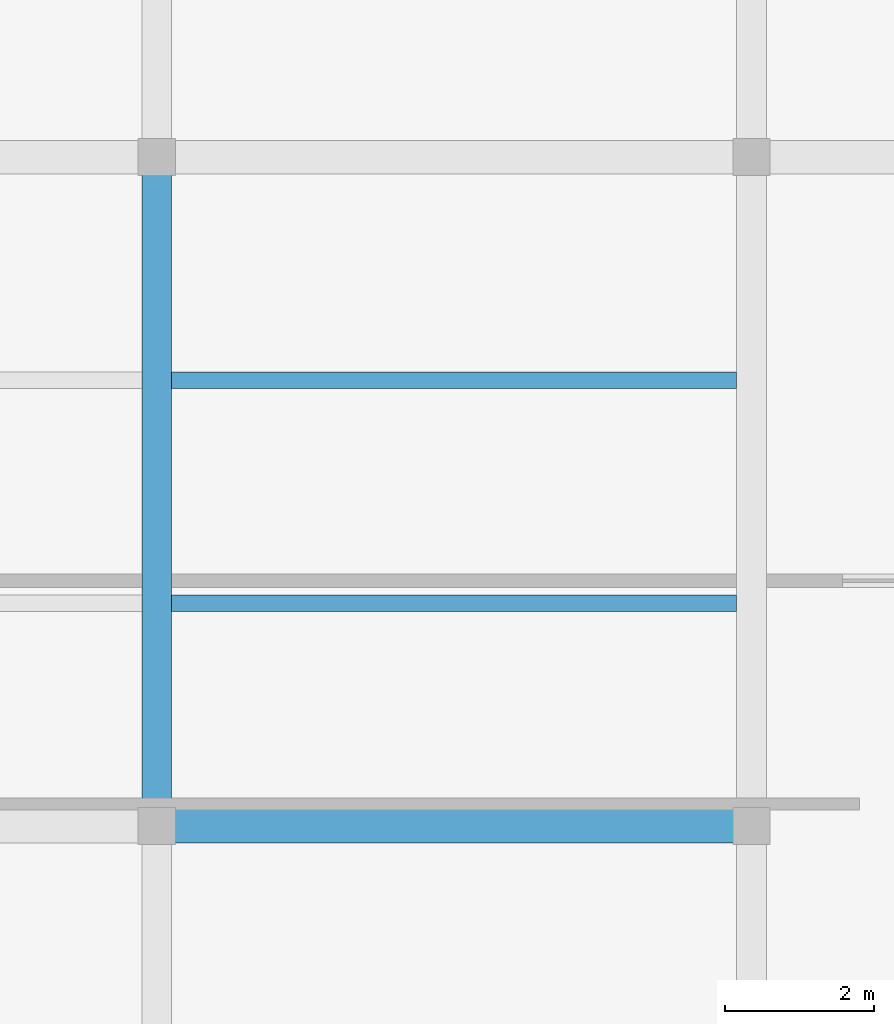
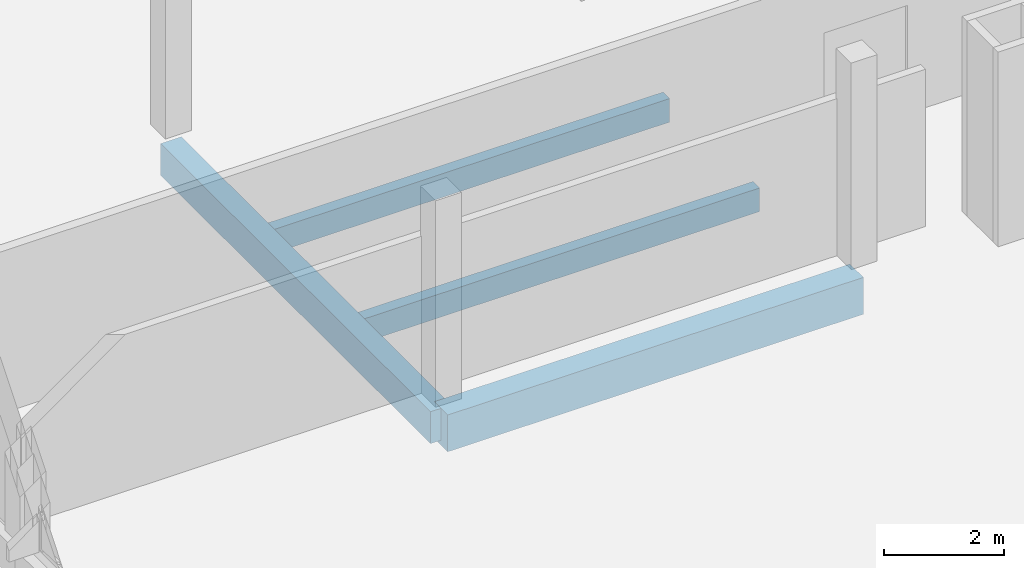
# One storey, part 36 of 107: 4 beams.
"""IFC4 building model written with IfcOpenShell, lengths in metres."""

from ifc_helpers import new_model, si_unit, direction, frame, origin, origin_2d, place, context, subcontext, project, spatial, rectangle, extrude, material, material_profile, profile_set, type_object, element, save


model = new_model("IFC4")

# Units and contexts
model_context = context("Model", 3, precision=1e-05, world=origin(), true_north=direction((0.0, 1.0)))
body_context = subcontext(model_context, "Body", "Model", "MODEL_VIEW")
ifc_project = project(units=[si_unit("LENGTHUNIT", "METRE"), si_unit("AREAUNIT", "SQUARE_METRE"), si_unit("VOLUMEUNIT", "CUBIC_METRE"), si_unit("PLANEANGLEUNIT", "RADIAN"), si_unit("MASSUNIT", "GRAM", prefix="KILO")], contexts=[model_context])

# Site, building, storey
site_placement = place(None, origin())
site = spatial("IfcSite", under=ifc_project, at=site_placement, CompositionType="ELEMENT")
building_placement = place(site_placement, origin())
building = spatial("IfcBuilding", under=site, at=building_placement, Name="Chiffa Square Polytechnic", CompositionType="ELEMENT")
storey_placement = place(building_placement, frame((0.0, 0.0, 13.800048828125)))
storey = spatial("IfcBuildingStorey", under=building, at=storey_placement, Name="L03", CompositionType="ELEMENT", Elevation=13.800048828125)

# Beams
ifc_material_1 = material(Name="Concrete C35/45", Category="concrete")
ifc_material_profile_1 = material_profile(ifc_material_1, rectangle(XDim=0.39990234375, YDim=0.64990234375, at=origin_2d()), Name="RC 400x650")
ifc_profile_set_1 = profile_set([ifc_material_profile_1], Name="Concrete C35/45")
beam_type_1 = type_object("IfcBeamType", Name="BM-RC-400X650", PredefinedType="BEAM", material=ifc_profile_set_1)
beam_1_placement = place(storey_placement, frame((8.0, 112.800048828125, -0.5849609375), z_axis=(0.0, 1.0, 0.0), x_axis=(-1.0, 0.0, 0.0)))
element("IfcBeam", 1, at=beam_1_placement, inside=storey, type_object=beam_type_1, Name="Primary floor girder BM-V5-L03-Y-0080-1128", PredefinedType="BEAM", context=body_context, shape_type="SweptSolid", body=[
    extrude(rectangle(XDim=0.39990234375, YDim=0.64990234375, at=origin_2d()), origin(), (0.0, 0.0, 1.0), 9.0),
])
ifc_material_profile_2 = material_profile(ifc_material_1, rectangle(XDim=0.449951171875, YDim=0.75, at=origin_2d()), Name="RC 450x750")
ifc_profile_set_2 = profile_set([ifc_material_profile_2], Name="Concrete C35/45")
beam_type_2 = type_object("IfcBeamType", Name="BM-RC-450X750", PredefinedType="BEAM", material=ifc_profile_set_2)
beam_2_placement = place(storey_placement, frame((8.0, 112.800048828125, -0.635009765625), z_axis=(1.0, 0.0, 0.0), x_axis=(0.0, 1.0, 0.0)))
element("IfcBeam", 2, at=beam_2_placement, inside=storey, type_object=beam_type_2, Name="Primary floor girder BM-V5-L03-X-0080-1128", PredefinedType="BEAM", context=body_context, shape_type="SweptSolid", body=[
    extrude(rectangle(XDim=0.449951171875, YDim=0.75, at=origin_2d()), origin(), (0.0, 0.0, 1.0), 8.0),
])
ifc_material_2 = material(Name="Glulam GL28h", Category="wood")
ifc_material_profile_3 = material_profile(ifc_material_2, rectangle(XDim=0.219970703125, YDim=0.47998046875, at=origin_2d()), Name="GL28h 220x480")
ifc_profile_set_3 = profile_set([ifc_material_profile_3], Name="Glulam GL28h")
beam_type_3 = type_object("IfcBeamType", Name="JST-GL-220X480", PredefinedType="JOIST", material=ifc_profile_set_3)
for number, where, z_axis, x_axis, name in (
    (3, (8.197998046875, 115.800048828125, -0.5), (1.0, 0.0, 0.0), (0.0, 1.0, 0.0), "Secondary floor joist JST-V5-L03-0080-1158"),
    (4, (8.197998046875, 118.800048828125, -0.5), (1.0, 0.0, 0.0), (0.0, 1.0, 0.0), "Secondary floor joist JST-V5-L03-0080-1188"),
):
    element("IfcBeam", number, at=place(storey_placement, frame(where, z_axis=z_axis, x_axis=x_axis)), inside=storey, type_object=beam_type_3, Name=name, PredefinedType="JOIST", context=body_context, shape_type="SweptSolid", body=[
        extrude(rectangle(XDim=0.219970703125, YDim=0.47998046875, at=origin_2d()), origin(), (0.0, 0.0, 1.0), 7.60400390625),
    ])

save(model, "model.ifc")
